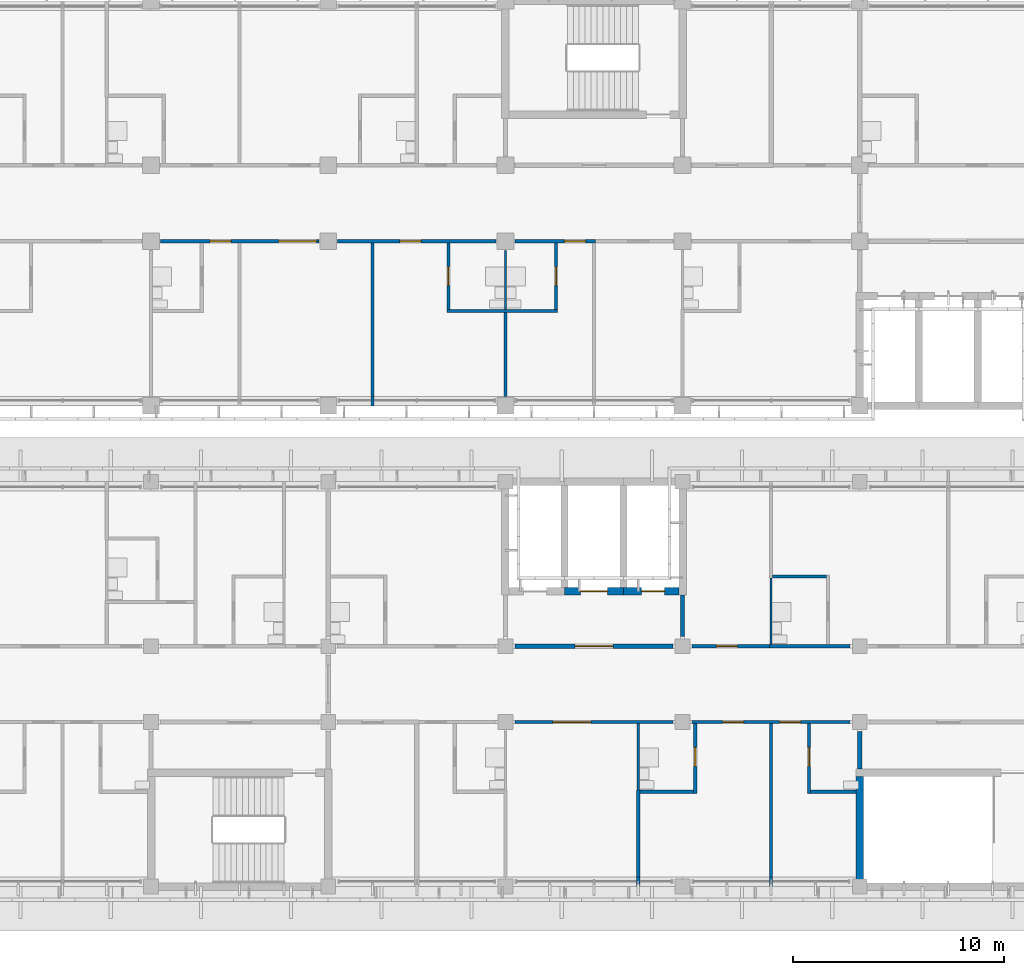
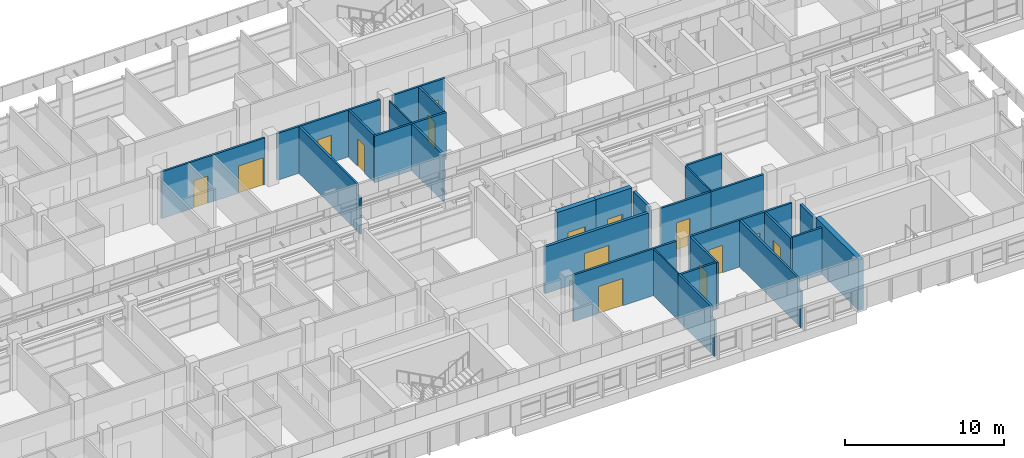
# One storey, part 35 of 71: 31 walls, 15 doors, 15 openings.
"""IFC4 building model written with IfcOpenShell, lengths in metres."""

from ifc_helpers import new_model, si_unit, direction, frame, frame_2d, origin, place, context, subcontext, project, spatial, rectangle, extrude, material, layer, layer_set, type_object, element, fill, save


model = new_model("IFC4")

# Units and contexts
model_context = context("Model", 3, precision=1e-05, world=origin(), true_north=direction((0.0, 1.0)))
body_context = subcontext(model_context, "Body", "Model", "MODEL_VIEW")
ifc_project = project(units=[si_unit("LENGTHUNIT", "METRE"), si_unit("AREAUNIT", "SQUARE_METRE"), si_unit("VOLUMEUNIT", "CUBIC_METRE"), si_unit("PLANEANGLEUNIT", "RADIAN"), si_unit("MASSUNIT", "GRAM", prefix="KILO")], contexts=[model_context])

# Site, building, storey
site_placement = place(None, origin())
site = spatial("IfcSite", under=ifc_project, at=site_placement, CompositionType="ELEMENT")
building_placement = place(site_placement, origin())
building = spatial("IfcBuilding", under=site, at=building_placement, Name="Bougainvillea Quay General Hospital", CompositionType="ELEMENT")
storey_placement = place(building_placement, frame((0.0, 0.0, 24.89990234375)))
storey = spatial("IfcBuildingStorey", under=building, at=storey_placement, Name="L05", CompositionType="ELEMENT", Elevation=24.89990234375)

# Walls
ifc_material_1 = material(Name="Gypsum board partition on steel studs", Category="steel")
ifc_layer_1 = layer(ifc_material_1, 0.10009765625)
ifc_layer_set_1 = layer_set([ifc_layer_1], Name="Gypsum board partition on steel studs")
wall_type_1 = type_object("IfcWallType", Name="Partition 100 Gypsum board partition", PredefinedType="PARTITIONING", material=ifc_layer_set_1)
wall_1_placement = place(storey_placement, frame((140.699951171875, 122.175048828125, 0.0), z_axis=(0.0, 0.0, 1.0), x_axis=(0.0, 1.0, 0.0)))
element("IfcWall", 1, at=wall_1_placement, inside=storey, type_object=wall_type_1, Name="Partition 100 mm", PredefinedType="PARTITIONING", context=body_context, shape_type="SweptSolid", body=[
    extrude(rectangle(XDim=3.14990234375, YDim=0.10009765625, at=frame_2d((1.574951171875, 0.0))), origin(), (0.0, 0.0, 1.0), 3.60009765625),
])
wall_2_placement = place(storey_placement, frame((147.0, 129.074951171875, 0.0), z_axis=(0.0, 0.0, 1.0), x_axis=(0.0, 1.0, 0.0)))
element("IfcWall", 2, at=wall_2_placement, inside=storey, type_object=wall_type_1, Name="Partition 100 mm", PredefinedType="PARTITIONING", context=body_context, shape_type="SweptSolid", body=[
    extrude(rectangle(XDim=3.150146484375, YDim=0.10009765625, at=frame_2d((1.5751953125, 0.0))), origin(), (0.0, 0.0, 1.0), 3.60009765625),
])
wall_3_placement = place(storey_placement, frame((134.39990234375, 144.97509765625, 0.0), z_axis=(0.0, 0.0, 1.0), x_axis=(0.0, 1.0, 0.0)))
element("IfcWall", 3, at=wall_3_placement, inside=storey, type_object=wall_type_1, Name="Partition 100 mm", PredefinedType="PARTITIONING", context=body_context, shape_type="SweptSolid", body=[
    extrude(rectangle(XDim=2.77490234375, YDim=0.10009765625, at=frame_2d((1.387451171875, 0.0))), origin(), (0.0, 0.0, 1.0), 3.60009765625),
])
ifc_material_2 = material(Name="Gypsum board partition on steel studs, insulated", Category="steel")
ifc_layer_2 = layer(ifc_material_2, 0.14990234375)
ifc_layer_set_2 = layer_set([ifc_layer_2], Name="Gypsum board partition on steel studs, insulated")
wall_type_2 = type_object("IfcWallType", Name="Partition 150 Gypsum board partition", PredefinedType="PARTITIONING", material=ifc_layer_set_2)
wall_4_placement = place(storey_placement, frame((147.0, 117.60009765625, 0.0), z_axis=(0.0, 0.0, 1.0), x_axis=(0.0, 1.0, 0.0)))
element("IfcWall", 4, at=wall_4_placement, inside=storey, type_object=wall_type_2, Name="Partition 150 mm", PredefinedType="PARTITIONING", context=body_context, shape_type="SweptSolid", body=[
    extrude(rectangle(XDim=0.449951171875, YDim=0.14990234375, at=frame_2d((0.22509765625, 0.0))), origin(), (0.0, 0.0, 1.0), 2.780029296875),
])
wall_5_placement = place(storey_placement, frame((147.0, 118.050048828125, 0.0), z_axis=(0.0, 0.0, 1.0), x_axis=(0.0, 1.0, 0.0)))
element("IfcWall", 5, at=wall_5_placement, inside=storey, type_object=wall_type_2, Name="Partition 150 mm", PredefinedType="PARTITIONING", context=body_context, shape_type="SweptSolid", body=[
    extrude(rectangle(XDim=7.27490234375, YDim=0.14990234375, at=frame_2d((3.637451171875, 0.0))), origin(), (0.0, 0.0, 1.0), 3.60009765625),
])
wall_6_placement = place(storey_placement, frame((128.10009765625, 140.39990234375, 0.0), z_axis=(0.0, 0.0, 1.0), x_axis=(0.0, 1.0, 0.0)))
element("IfcWall", 6, at=wall_6_placement, inside=storey, type_object=wall_type_2, Name="Partition 150 mm", PredefinedType="PARTITIONING", context=body_context, shape_type="SweptSolid", body=[
    extrude(rectangle(XDim=0.4501953125, YDim=0.14990234375, at=frame_2d((0.22509765625, 0.0))), origin(), (0.0, 0.0, 1.0), 2.780029296875),
])
wall_7_placement = place(storey_placement, frame((128.10009765625, 140.85009765625, 0.0), z_axis=(0.0, 0.0, 1.0), x_axis=(0.0, 1.0, 0.0)))
element("IfcWall", 7, at=wall_7_placement, inside=storey, type_object=wall_type_2, Name="Partition 150 mm", PredefinedType="PARTITIONING", context=body_context, shape_type="SweptSolid", body=[
    extrude(rectangle(XDim=7.27490234375, YDim=0.14990234375, at=frame_2d((3.637451171875, 0.0))), origin(), (0.0, 0.0, 1.0), 3.60009765625),
])
wall_8_placement = place(storey_placement, frame((131.625, 144.89990234375, 0.0), z_axis=(0.0, 0.0, 1.0), x_axis=(1.0, 0.0, 0.0)))
element("IfcWall", 8, at=wall_8_placement, inside=storey, type_object=wall_type_2, Name="Partition 150 mm", PredefinedType="PARTITIONING", context=body_context, shape_type="SweptSolid", body=[
    extrude(rectangle(XDim=5.25, YDim=0.14990234375, at=frame_2d((2.625, 0.0))), origin(), (0.0, 0.0, 1.0), 3.60009765625),
])
wall_9_placement = place(storey_placement, frame((134.39990234375, 140.85009765625, 0.0), z_axis=(0.0, 0.0, 1.0), x_axis=(0.0, 1.0, 0.0)))
element("IfcWall", 9, at=wall_9_placement, inside=storey, type_object=wall_type_2, Name="Partition 150 mm", PredefinedType="PARTITIONING", context=body_context, shape_type="SweptSolid", body=[
    extrude(rectangle(XDim=3.974853515625, YDim=0.14990234375, at=frame_2d((1.9873046875, 0.0))), origin(), (0.0, 0.0, 1.0), 3.60009765625),
])
wall_10_placement = place(storey_placement, frame((140.699951171875, 117.60009765625, 0.0), z_axis=(0.0, 0.0, 1.0), x_axis=(0.0, 1.0, 0.0)))
element("IfcWall", 10, at=wall_10_placement, inside=storey, type_object=wall_type_2, Name="Partition 150 mm", PredefinedType="PARTITIONING", context=body_context, shape_type="SweptSolid", body=[
    extrude(rectangle(XDim=0.449951171875, YDim=0.14990234375, at=frame_2d((0.22509765625, 0.0))), origin(), (0.0, 0.0, 1.0), 2.780029296875),
])
wall_11_placement = place(storey_placement, frame((140.699951171875, 118.050048828125, 0.0), z_axis=(0.0, 0.0, 1.0), x_axis=(0.0, 1.0, 0.0)))
element("IfcWall", 11, at=wall_11_placement, inside=storey, type_object=wall_type_2, Name="Partition 150 mm", PredefinedType="PARTITIONING", context=body_context, shape_type="SweptSolid", body=[
    extrude(rectangle(XDim=4.125, YDim=0.14990234375, at=frame_2d((2.0625, 0.0))), origin(), (0.0, 0.0, 1.0), 3.60009765625),
])

# Wall, opening, door
wall_12_placement = place(storey_placement, frame((143.39990234375, 122.02490234375, 0.0), z_axis=(0.0, 0.0, 1.0), x_axis=(0.0, 1.0, 0.0)))
wall_12 = element("IfcWall", 12, at=wall_12_placement, inside=storey, type_object=wall_type_2, Name="Partition 150 mm", PredefinedType="PARTITIONING", context=body_context, shape_type="SweptSolid", body=[
    extrude(rectangle(XDim=3.300048828125, YDim=0.14990234375, at=frame_2d((1.64990234375, 0.0))), origin(), (0.0, 0.0, 1.0), 3.60009765625),
])
opening_1_placement = place(wall_12_placement, frame((1.27490234375, 0.0, 0.0)))
opening_1 = element("IfcOpeningElement", 13, at=opening_1_placement, cuts=wall_12, Name="Opening L05.129", PredefinedType="OPENING", context=body_context, shape_type="SweptSolid", body=[
    extrude(rectangle(XDim=0.89990234375, YDim=2.10009765625, at=frame_2d((0.449951171875, 1.050048828125))), frame((0.0, 0.0849609375, 0.0), z_axis=(0.0, -1.0, 0.0), x_axis=(1.0, 0.0, 0.0)), (0.0, 0.0, 1.0), 0.169921875),
])
ifc_material_3 = material(Name="Solid-core timber door leaf in steel frame", Category="steel")
door_type_1 = type_object("IfcDoorType", Name="Single leaf door 900x2100", OperationType="NOTDEFINED", PredefinedType="DOOR", material=ifc_material_3)
door_1_placement = place(opening_1_placement, origin())
door_1 = element("IfcDoor", 14, at=door_1_placement, inside=storey, type_object=door_type_1, Name="DT07 L05.129", OperationType="SINGLE_SWING_RIGHT", OverallHeight=2.10009765625, OverallWidth=0.89990234375, PredefinedType="DOOR", context=body_context, shape_type="SweptSolid", body=[
    extrude(rectangle(XDim=0.89990234375, YDim=2.10009765625, at=frame_2d((0.449951171875, 1.050048828125))), frame((0.0, 0.02490234375, 0.0), z_axis=(0.0, -1.0, 0.0), x_axis=(1.0, 0.0, 0.0)), (0.0, 0.0, 1.0), 0.050048828125),
])
fill(opening_1, door_1)

wall_13_placement = place(storey_placement, frame((148.800048828125, 122.02490234375, 0.0), z_axis=(0.0, 0.0, 1.0), x_axis=(0.0, 1.0, 0.0)))
wall_13 = element("IfcWall", 15, at=wall_13_placement, inside=storey, type_object=wall_type_2, Name="Partition 150 mm", PredefinedType="PARTITIONING", context=body_context, shape_type="SweptSolid", body=[
    extrude(rectangle(XDim=3.300048828125, YDim=0.14990234375, at=frame_2d((1.64990234375, 0.0))), origin(), (0.0, 0.0, 1.0), 3.60009765625),
])
opening_2_placement = place(wall_13_placement, frame((1.27490234375, 0.0, 0.0)))
opening_2 = element("IfcOpeningElement", 16, at=opening_2_placement, cuts=wall_13, Name="Opening L05.131", PredefinedType="OPENING", context=body_context, shape_type="SweptSolid", body=[
    extrude(rectangle(XDim=0.89990234375, YDim=2.10009765625, at=frame_2d((0.449951171875, 1.050048828125))), frame((0.0, 0.0849609375, 0.0), z_axis=(0.0, -1.0, 0.0), x_axis=(1.0, 0.0, 0.0)), (0.0, 0.0, 1.0), 0.169921875),
])
door_2_placement = place(opening_2_placement, frame((0.89990234375, 0.0, 0.0), z_axis=(0.0, 0.0, 1.0), x_axis=(-1.0, 0.0, 0.0)))
door_2 = element("IfcDoor", 17, at=door_2_placement, inside=storey, type_object=door_type_1, Name="DT07 L05.131", OperationType="SINGLE_SWING_LEFT", OverallHeight=2.10009765625, OverallWidth=0.89990234375, PredefinedType="DOOR", context=body_context, shape_type="SweptSolid", body=[
    extrude(rectangle(XDim=0.89990234375, YDim=2.10009765625, at=frame_2d((0.449951171875, 1.050048828125))), frame((0.0, 0.02490234375, 0.0), z_axis=(0.0, -1.0, 0.0), x_axis=(1.0, 0.0, 0.0)), (0.0, 0.0, 1.0), 0.050048828125),
])
fill(opening_2, door_2)

wall_14_placement = place(storey_placement, frame((131.699951171875, 144.97509765625, 0.0), z_axis=(0.0, 0.0, 1.0), x_axis=(0.0, 1.0, 0.0)))
wall_14 = element("IfcWall", 18, at=wall_14_placement, inside=storey, type_object=wall_type_2, Name="Partition 150 mm", PredefinedType="PARTITIONING", context=body_context, shape_type="SweptSolid", body=[
    extrude(rectangle(XDim=3.14990234375, YDim=0.14990234375, at=frame_2d((1.574951171875, 0.0))), origin(), (0.0, 0.0, 1.0), 3.60009765625),
])
opening_3_placement = place(wall_14_placement, frame((1.125, 0.0, 0.0)))
opening_3 = element("IfcOpeningElement", 19, at=opening_3_placement, cuts=wall_14, Name="Opening L05.037", PredefinedType="OPENING", context=body_context, shape_type="SweptSolid", body=[
    extrude(rectangle(XDim=0.89990234375, YDim=2.10009765625, at=frame_2d((0.449951171875, 1.050048828125))), frame((0.0, 0.0849609375, 0.0), z_axis=(0.0, -1.0, 0.0), x_axis=(1.0, 0.0, 0.0)), (0.0, 0.0, 1.0), 0.169921875),
])
door_3_placement = place(opening_3_placement, frame((0.89990234375, 0.0, 0.0), z_axis=(0.0, 0.0, 1.0), x_axis=(-1.0, 0.0, 0.0)))
door_3 = element("IfcDoor", 20, at=door_3_placement, inside=storey, type_object=door_type_1, Name="DT07 L05.037", OperationType="SINGLE_SWING_LEFT", OverallHeight=2.10009765625, OverallWidth=0.89990234375, PredefinedType="DOOR", context=body_context, shape_type="SweptSolid", body=[
    extrude(rectangle(XDim=0.89990234375, YDim=2.10009765625, at=frame_2d((0.449951171875, 1.050048828125))), frame((0.0, 0.02490234375, 0.0), z_axis=(0.0, -1.0, 0.0), x_axis=(1.0, 0.0, 0.0)), (0.0, 0.0, 1.0), 0.050048828125),
])
fill(opening_3, door_3)

wall_15_placement = place(storey_placement, frame((136.800048828125, 144.97509765625, 0.0), z_axis=(0.0, 0.0, 1.0), x_axis=(0.0, 1.0, 0.0)))
wall_15 = element("IfcWall", 21, at=wall_15_placement, inside=storey, type_object=wall_type_2, Name="Partition 150 mm", PredefinedType="PARTITIONING", context=body_context, shape_type="SweptSolid", body=[
    extrude(rectangle(XDim=3.14990234375, YDim=0.14990234375, at=frame_2d((1.574951171875, 0.0))), origin(), (0.0, 0.0, 1.0), 3.60009765625),
])
opening_4_placement = place(wall_15_placement, frame((1.125, 0.0, 0.0)))
opening_4 = element("IfcOpeningElement", 22, at=opening_4_placement, cuts=wall_15, Name="Opening L05.039", PredefinedType="OPENING", context=body_context, shape_type="SweptSolid", body=[
    extrude(rectangle(XDim=0.89990234375, YDim=2.10009765625, at=frame_2d((0.449951171875, 1.050048828125))), frame((0.0, 0.0849609375, 0.0), z_axis=(0.0, -1.0, 0.0), x_axis=(1.0, 0.0, 0.0)), (0.0, 0.0, 1.0), 0.169921875),
])
door_4_placement = place(opening_4_placement, origin())
door_4 = element("IfcDoor", 23, at=door_4_placement, inside=storey, type_object=door_type_1, Name="DT07 L05.039", OperationType="SINGLE_SWING_RIGHT", OverallHeight=2.10009765625, OverallWidth=0.89990234375, PredefinedType="DOOR", context=body_context, shape_type="SweptSolid", body=[
    extrude(rectangle(XDim=0.89990234375, YDim=2.10009765625, at=frame_2d((0.449951171875, 1.050048828125))), frame((0.0, 0.02490234375, 0.0), z_axis=(0.0, -1.0, 0.0), x_axis=(1.0, 0.0, 0.0)), (0.0, 0.0, 1.0), 0.050048828125),
])
fill(opening_4, door_4)

# Walls
for number, where, z_axis, x_axis, name in (
    (24, (140.77490234375, 122.10009765625, 0.0), (0.0, 0.0, 1.0), (1.0, 0.0, 0.0), "Partition 150 mm"),
    (25, (147.074951171875, 132.300048828125, 0.0), (0.0, 0.0, 1.0), (1.0, 0.0, 0.0), "Partition 150 mm"),
):
    element("IfcWall", number, at=place(storey_placement, frame(where, z_axis=z_axis, x_axis=x_axis)), inside=storey, type_object=wall_type_2, Name=name, PredefinedType="PARTITIONING", context=body_context, shape_type="SweptSolid", body=[
        extrude(rectangle(XDim=2.550048828125, YDim=0.14990234375, at=frame_2d((1.27490234375, 0.0))), origin(), (0.0, 0.0, 1.0), 3.60009765625),
    ])
wall_16_placement = place(storey_placement, frame((148.875, 122.10009765625, 0.0), z_axis=(0.0, 0.0, 1.0), x_axis=(1.0, 0.0, 0.0)))
element("IfcWall", 26, at=wall_16_placement, inside=storey, type_object=wall_type_2, Name="Partition 150 mm", PredefinedType="PARTITIONING", context=body_context, shape_type="SweptSolid", body=[
    extrude(rectangle(XDim=2.14990234375, YDim=0.14990234375, at=frame_2d((1.074951171875, 0.0))), origin(), (0.0, 0.0, 1.0), 3.60009765625),
])

# Wall, opening, door
ifc_layer_3 = layer(ifc_material_2, 0.14990234375)
ifc_layer_set_3 = layer_set([ifc_layer_3], Name="Gypsum board partition on steel studs, insulated")
wall_type_3 = type_object("IfcWallType", Name="Partition 150 Gypsum board partition EI 30", PredefinedType="PARTITIONING", material=ifc_layer_set_3)
wall_17_placement = place(storey_placement, frame((138.675048828125, 148.199951171875, 0.0), z_axis=(0.0, 0.0, 1.0), x_axis=(-1.0, 0.0, 0.0)))
wall_17 = element("IfcWall", 27, at=wall_17_placement, inside=storey, type_object=wall_type_3, Name="Partition 150 mm EI 30", PredefinedType="PARTITIONING", context=body_context, shape_type="SweptSolid", body=[
    extrude(rectangle(XDim=3.824951171875, YDim=0.14990234375, at=frame_2d((1.91259765625, 0.0))), origin(), (0.0, 0.0, 1.0), 3.60009765625),
])
opening_5_placement = place(wall_17_placement, frame((0.47509765625, 0.0, 0.0)))
opening_5 = element("IfcOpeningElement", 28, at=opening_5_placement, cuts=wall_17, Name="Opening L05.038", PredefinedType="OPENING", context=body_context, shape_type="SweptSolid", body=[
    extrude(rectangle(XDim=1.0, YDim=2.10009765625, at=frame_2d((0.5, 1.050048828125))), frame((0.0, 0.0849609375, 0.0), z_axis=(0.0, -1.0, 0.0), x_axis=(1.0, 0.0, 0.0)), (0.0, 0.0, 1.0), 0.169921875),
])
door_type_2 = type_object("IfcDoorType", Name="Single leaf door 1000x2100 FD30S", OperationType="NOTDEFINED", PredefinedType="DOOR", material=ifc_material_3)
door_5_placement = place(opening_5_placement, origin())
door_5 = element("IfcDoor", 29, at=door_5_placement, inside=storey, type_object=door_type_2, Name="DT15 L05.038", OperationType="SINGLE_SWING_LEFT", OverallHeight=2.10009765625, OverallWidth=1.0, PredefinedType="DOOR", context=body_context, shape_type="SweptSolid", body=[
    extrude(rectangle(XDim=1.0, YDim=2.10009765625, at=frame_2d((0.5, 1.050048828125))), frame((0.0, 0.02490234375, 0.0), z_axis=(0.0, -1.0, 0.0), x_axis=(1.0, 0.0, 0.0)), (0.0, 0.0, 1.0), 0.050048828125),
])
fill(opening_5, door_5)

wall_18_placement = place(storey_placement, frame((133.949951171875, 148.199951171875, 0.0), z_axis=(0.0, 0.0, 1.0), x_axis=(-1.0, 0.0, 0.0)))
wall_18 = element("IfcWall", 30, at=wall_18_placement, inside=storey, type_object=wall_type_3, Name="Partition 150 mm EI 30", PredefinedType="PARTITIONING", context=body_context, shape_type="SweptSolid", body=[
    extrude(rectangle(XDim=7.5, YDim=0.14990234375, at=frame_2d((3.75, 0.0))), origin(), (0.0, 0.0, 1.0), 3.60009765625),
])
opening_6_placement = place(wall_18_placement, frame((3.550048828125, 0.0, 0.0)))
opening_6 = element("IfcOpeningElement", 31, at=opening_6_placement, cuts=wall_18, Name="Opening L05.036", PredefinedType="OPENING", context=body_context, shape_type="SweptSolid", body=[
    extrude(rectangle(XDim=1.0, YDim=2.10009765625, at=frame_2d((0.5, 1.050048828125))), frame((0.0, 0.0849609375, 0.0), z_axis=(0.0, -1.0, 0.0), x_axis=(1.0, 0.0, 0.0)), (0.0, 0.0, 1.0), 0.169921875),
])
door_6_placement = place(opening_6_placement, origin())
door_6 = element("IfcDoor", 32, at=door_6_placement, inside=storey, type_object=door_type_2, Name="DT15 L05.036", OperationType="SINGLE_SWING_RIGHT", OverallHeight=2.10009765625, OverallWidth=1.0, PredefinedType="DOOR", context=body_context, shape_type="SweptSolid", body=[
    extrude(rectangle(XDim=1.0, YDim=2.10009765625, at=frame_2d((0.5, 1.050048828125))), frame((0.0, 0.02490234375, 0.0), z_axis=(0.0, -1.0, 0.0), x_axis=(1.0, 0.0, 0.0)), (0.0, 0.0, 1.0), 0.050048828125),
])
fill(opening_6, door_6)

# Wall, openings, doors
wall_19_placement = place(storey_placement, frame((125.550048828125, 148.199951171875, 0.0), z_axis=(0.0, 0.0, 1.0), x_axis=(-1.0, 0.0, 0.0)))
wall_19 = element("IfcWall", 33, at=wall_19_placement, inside=storey, type_object=wall_type_3, Name="Partition 150 mm EI 30", PredefinedType="PARTITIONING", context=body_context, shape_type="SweptSolid", body=[
    extrude(rectangle(XDim=7.5, YDim=0.14990234375, at=frame_2d((3.75, 0.0))), origin(), (0.0, 0.0, 1.0), 3.60009765625),
])
opening_7_placement = place(wall_19_placement, frame((4.14990234375, 0.0, 0.0)))
opening_7 = element("IfcOpeningElement", 34, at=opening_7_placement, cuts=wall_19, Name="Opening L05.033", PredefinedType="OPENING", context=body_context, shape_type="SweptSolid", body=[
    extrude(rectangle(XDim=1.0, YDim=2.10009765625, at=frame_2d((0.5, 1.050048828125))), frame((0.0, 0.0849609375, 0.0), z_axis=(0.0, -1.0, 0.0), x_axis=(1.0, 0.0, 0.0)), (0.0, 0.0, 1.0), 0.169921875),
])
opening_8_placement = place(wall_19_placement, frame((0.10009765625, 0.0, 0.0)))
opening_8 = element("IfcOpeningElement", 35, at=opening_8_placement, cuts=wall_19, Name="Opening L05.035", PredefinedType="OPENING", context=body_context, shape_type="SweptSolid", body=[
    extrude(rectangle(XDim=1.800048828125, YDim=2.10009765625, at=frame_2d((0.89990234375, 1.050048828125))), frame((0.0, 0.0849609375, 0.0), z_axis=(0.0, -1.0, 0.0), x_axis=(1.0, 0.0, 0.0)), (0.0, 0.0, 1.0), 0.169921875),
])
ifc_material_4 = material(Name="Solid-core timber door leaves in steel frame", Category="steel")
door_type_3 = type_object("IfcDoorType", Name="Double leaf door 1800x2100 FD30S", OperationType="DOUBLE_DOOR_SINGLE_SWING", PredefinedType="DOOR", material=ifc_material_4)
door_7_placement = place(opening_8_placement, origin())
door_7 = element("IfcDoor", 36, at=door_7_placement, inside=storey, type_object=door_type_3, Name="DT17 L05.035", OperationType="DOUBLE_DOOR_SINGLE_SWING", OverallHeight=2.10009765625, OverallWidth=1.800048828125, PredefinedType="DOOR", context=body_context, shape_type="SweptSolid", body=[
    extrude(rectangle(XDim=1.800048828125, YDim=2.10009765625, at=frame_2d((0.89990234375, 1.050048828125))), frame((0.0, 0.02490234375, 0.0), z_axis=(0.0, -1.0, 0.0), x_axis=(1.0, 0.0, 0.0)), (0.0, 0.0, 1.0), 0.050048828125),
])
fill(opening_8, door_7)
door_8_placement = place(opening_7_placement, origin())
door_8 = element("IfcDoor", 37, at=door_8_placement, inside=storey, type_object=door_type_2, Name="DT15 L05.033", OperationType="SINGLE_SWING_RIGHT", OverallHeight=2.10009765625, OverallWidth=1.0, PredefinedType="DOOR", context=body_context, shape_type="SweptSolid", body=[
    extrude(rectangle(XDim=1.0, YDim=2.10009765625, at=frame_2d((0.5, 1.050048828125))), frame((0.0, 0.02490234375, 0.0), z_axis=(0.0, -1.0, 0.0), x_axis=(1.0, 0.0, 0.0)), (0.0, 0.0, 1.0), 0.050048828125),
])
fill(opening_7, door_8)

wall_20_placement = place(storey_placement, frame((150.75, 125.39990234375, 0.0), z_axis=(0.0, 0.0, 1.0), x_axis=(-1.0, 0.0, 0.0)))
wall_20 = element("IfcWall", 38, at=wall_20_placement, inside=storey, type_object=wall_type_3, Name="Partition 150 mm EI 30", PredefinedType="PARTITIONING", context=body_context, shape_type="SweptSolid", body=[
    extrude(rectangle(XDim=7.5, YDim=0.14990234375, at=frame_2d((3.75, 0.0))), origin(), (0.0, 0.0, 1.0), 3.60009765625),
])
opening_9_placement = place(wall_20_placement, frame((5.050048828125, 0.0, 0.0)))
opening_9 = element("IfcOpeningElement", 39, at=opening_9_placement, cuts=wall_20, Name="Opening L05.128", PredefinedType="OPENING", context=body_context, shape_type="SweptSolid", body=[
    extrude(rectangle(XDim=1.0, YDim=2.10009765625, at=frame_2d((0.5, 1.050048828125))), frame((0.0, 0.0849609375, 0.0), z_axis=(0.0, -1.0, 0.0), x_axis=(1.0, 0.0, 0.0)), (0.0, 0.0, 1.0), 0.169921875),
])
opening_10_placement = place(wall_20_placement, frame((2.35009765625, 0.0, 0.0)))
opening_10 = element("IfcOpeningElement", 40, at=opening_10_placement, cuts=wall_20, Name="Opening L05.130", PredefinedType="OPENING", context=body_context, shape_type="SweptSolid", body=[
    extrude(rectangle(XDim=1.0, YDim=2.10009765625, at=frame_2d((0.5, 1.050048828125))), frame((0.0, 0.0849609375, 0.0), z_axis=(0.0, -1.0, 0.0), x_axis=(1.0, 0.0, 0.0)), (0.0, 0.0, 1.0), 0.169921875),
])
door_9_placement = place(opening_9_placement, origin())
door_9 = element("IfcDoor", 41, at=door_9_placement, inside=storey, type_object=door_type_2, Name="DT15 L05.128", OperationType="SINGLE_SWING_RIGHT", OverallHeight=2.10009765625, OverallWidth=1.0, PredefinedType="DOOR", context=body_context, shape_type="SweptSolid", body=[
    extrude(rectangle(XDim=1.0, YDim=2.10009765625, at=frame_2d((0.5, 1.050048828125))), frame((0.0, 0.02490234375, 0.0), z_axis=(0.0, -1.0, 0.0), x_axis=(1.0, 0.0, 0.0)), (0.0, 0.0, 1.0), 0.050048828125),
])
fill(opening_9, door_9)
door_10_placement = place(opening_10_placement, origin())
door_10 = element("IfcDoor", 42, at=door_10_placement, inside=storey, type_object=door_type_2, Name="DT15 L05.130", OperationType="SINGLE_SWING_LEFT", OverallHeight=2.10009765625, OverallWidth=1.0, PredefinedType="DOOR", context=body_context, shape_type="SweptSolid", body=[
    extrude(rectangle(XDim=1.0, YDim=2.10009765625, at=frame_2d((0.5, 1.050048828125))), frame((0.0, 0.02490234375, 0.0), z_axis=(0.0, -1.0, 0.0), x_axis=(1.0, 0.0, 0.0)), (0.0, 0.0, 1.0), 0.050048828125),
])
fill(opening_10, door_10)

# Wall, opening, door
wall_21_placement = place(storey_placement, frame((142.35009765625, 125.39990234375, 0.0), z_axis=(0.0, 0.0, 1.0), x_axis=(-1.0, 0.0, 0.0)))
wall_21 = element("IfcWall", 43, at=wall_21_placement, inside=storey, type_object=wall_type_3, Name="Partition 150 mm EI 30", PredefinedType="PARTITIONING", context=body_context, shape_type="SweptSolid", body=[
    extrude(rectangle(XDim=7.5, YDim=0.14990234375, at=frame_2d((3.75, 0.0))), origin(), (0.0, 0.0, 1.0), 3.60009765625),
])
opening_11_placement = place(wall_21_placement, frame((3.89990234375, 0.0, 0.0)))
opening_11 = element("IfcOpeningElement", 44, at=opening_11_placement, cuts=wall_21, Name="Opening L05.127", PredefinedType="OPENING", context=body_context, shape_type="SweptSolid", body=[
    extrude(rectangle(XDim=1.800048828125, YDim=2.10009765625, at=frame_2d((0.89990234375, 1.050048828125))), frame((0.0, 0.0849609375, 0.0), z_axis=(0.0, -1.0, 0.0), x_axis=(1.0, 0.0, 0.0)), (0.0, 0.0, 1.0), 0.169921875),
])
door_11_placement = place(opening_11_placement, origin())
door_11 = element("IfcDoor", 45, at=door_11_placement, inside=storey, type_object=door_type_3, Name="DT17 L05.127", OperationType="DOUBLE_DOOR_SINGLE_SWING", OverallHeight=2.10009765625, OverallWidth=1.800048828125, PredefinedType="DOOR", context=body_context, shape_type="SweptSolid", body=[
    extrude(rectangle(XDim=1.800048828125, YDim=2.10009765625, at=frame_2d((0.89990234375, 1.050048828125))), frame((0.0, 0.02490234375, 0.0), z_axis=(0.0, -1.0, 0.0), x_axis=(1.0, 0.0, 0.0)), (0.0, 0.0, 1.0), 0.050048828125),
])
fill(opening_11, door_11)

# Wall
wall_22_placement = place(storey_placement, frame((150.75, 129.0, 0.0), z_axis=(0.0, 0.0, 1.0), x_axis=(-1.0, 0.0, 0.0)))
element("IfcWall", 46, at=wall_22_placement, inside=storey, type_object=wall_type_3, Name="Partition 150 mm EI 30", PredefinedType="PARTITIONING", context=body_context, shape_type="SweptSolid", body=[
    extrude(rectangle(XDim=3.824951171875, YDim=0.14990234375, at=frame_2d((1.91259765625, 0.0))), origin(), (0.0, 0.0, 1.0), 3.60009765625),
])

# Wall, opening, door
ifc_layer_4 = layer(ifc_material_2, 0.14990234375)
ifc_layer_set_4 = layer_set([ifc_layer_4], Name="Gypsum board partition on steel studs, insulated")
wall_type_4 = type_object("IfcWallType", Name="Partition 150 Gypsum board partition EI 60", PredefinedType="PARTITIONING", material=ifc_layer_set_4)
wall_23_placement = place(storey_placement, frame((143.25, 129.0, 0.0), z_axis=(0.0, 0.0, 1.0), x_axis=(1.0, 0.0, 0.0)))
wall_23 = element("IfcWall", 47, at=wall_23_placement, inside=storey, type_object=wall_type_4, Name="Partition 150 mm EI 60", PredefinedType="PARTITIONING", context=body_context, shape_type="SweptSolid", body=[
    extrude(rectangle(XDim=3.675048828125, YDim=0.14990234375, at=frame_2d((1.83740234375, 0.0))), origin(), (0.0, 0.0, 1.0), 3.60009765625),
])
opening_12_placement = place(wall_23_placement, frame((1.14990234375, 0.0, 0.0)))
opening_12 = element("IfcOpeningElement", 48, at=opening_12_placement, cuts=wall_23, Name="Opening L05.132", PredefinedType="OPENING", context=body_context, shape_type="SweptSolid", body=[
    extrude(rectangle(XDim=1.0, YDim=2.10009765625, at=frame_2d((0.5, 1.050048828125))), frame((0.0, 0.0849609375, 0.0), z_axis=(0.0, -1.0, 0.0), x_axis=(1.0, 0.0, 0.0)), (0.0, 0.0, 1.0), 0.169921875),
])
door_type_4 = type_object("IfcDoorType", Name="Single leaf door 1000x2100 FD60", OperationType="NOTDEFINED", PredefinedType="DOOR", material=ifc_material_3)
door_12_placement = place(opening_12_placement, origin())
door_12 = element("IfcDoor", 49, at=door_12_placement, inside=storey, type_object=door_type_4, Name="DT14 L05.132", OperationType="SINGLE_SWING_LEFT", OverallHeight=2.10009765625, OverallWidth=1.0, PredefinedType="DOOR", context=body_context, shape_type="SweptSolid", body=[
    extrude(rectangle(XDim=1.0, YDim=2.10009765625, at=frame_2d((0.5, 1.050048828125))), frame((0.0, 0.02490234375, 0.0), z_axis=(0.0, -1.0, 0.0), x_axis=(1.0, 0.0, 0.0)), (0.0, 0.0, 1.0), 0.050048828125),
])
fill(opening_12, door_12)

ifc_material_5 = material(Name="Fire-rated autoclaved aerated block wall, plastered")
ifc_layer_5 = layer(ifc_material_5, 0.199951171875)
ifc_layer_set_5 = layer_set([ifc_layer_5], Name="Fire-rated autoclaved aerated block wall, plastered")
wall_type_5 = type_object("IfcWallType", Name="Partition 200 Fire-rated autoclaved aerated block wall EI 120", PredefinedType="SOLIDWALL", material=ifc_layer_set_5)
wall_24_placement = place(storey_placement, frame((134.85009765625, 129.0, 0.0), z_axis=(0.0, 0.0, 1.0), x_axis=(1.0, 0.0, 0.0)))
wall_24 = element("IfcWall", 50, at=wall_24_placement, inside=storey, type_object=wall_type_5, Name="Partition 200 mm EI 120", PredefinedType="SOLIDWALL", context=body_context, shape_type="SweptSolid", body=[
    extrude(rectangle(XDim=7.5, YDim=0.199951171875, at=frame_2d((3.75, 0.0))), origin(), (0.0, 0.0, 1.0), 3.60009765625),
])
opening_13_placement = place(wall_24_placement, frame((2.85009765625, 0.0, 0.0)))
opening_13 = element("IfcOpeningElement", 51, at=opening_13_placement, cuts=wall_24, Name="Opening L05.148", PredefinedType="OPENING", context=body_context, shape_type="SweptSolid", body=[
    extrude(rectangle(XDim=1.800048828125, YDim=2.10009765625, at=frame_2d((0.89990234375, 1.050048828125))), frame((0.0, 0.10986328125, 0.0), z_axis=(0.0, -1.0, 0.0), x_axis=(1.0, 0.0, 0.0)), (0.0, 0.0, 1.0), 0.219970703125),
])
ifc_material_6 = material(Name="Steel fire door leaves in steel frame", Category="steel")
door_type_5 = type_object("IfcDoorType", Name="Steel double leaf door 1800x2100 FD60", OperationType="DOUBLE_DOOR_SINGLE_SWING", PredefinedType="DOOR", material=ifc_material_6)
door_13_placement = place(opening_13_placement, origin())
door_13 = element("IfcDoor", 52, at=door_13_placement, inside=storey, type_object=door_type_5, Name="DT05 L05.148", OperationType="DOUBLE_DOOR_SINGLE_SWING", OverallHeight=2.10009765625, OverallWidth=1.800048828125, PredefinedType="DOOR", context=body_context, shape_type="SweptSolid", body=[
    extrude(rectangle(XDim=1.800048828125, YDim=2.10009765625, at=frame_2d((0.89990234375, 1.050048828125))), frame((0.0, 0.02490234375, 0.0), z_axis=(0.0, -1.0, 0.0), x_axis=(1.0, 0.0, 0.0)), (0.0, 0.0, 1.0), 0.050048828125),
])
fill(opening_13, door_13)

# Walls
wall_25_placement = place(storey_placement, frame((142.800048828125, 129.449951171875, 0.0), z_axis=(0.0, 0.0, 1.0), x_axis=(0.0, 1.0, 0.0)))
element("IfcWall", 53, at=wall_25_placement, inside=storey, type_object=wall_type_5, Name="Partition 200 mm EI 120", PredefinedType="SOLIDWALL", context=body_context, shape_type="SweptSolid", body=[
    extrude(rectangle(XDim=1.97509765625, YDim=0.199951171875, at=frame_2d((0.987548828125, 0.0))), origin(), (0.0, 0.0, 1.0), 3.60009765625),
])
wall_26_placement = place(storey_placement, frame((151.199951171875, 123.175048828125, 0.0), z_axis=(0.0, 0.0, 1.0), x_axis=(0.0, 1.0, 0.0)))
element("IfcWall", 54, at=wall_26_placement, inside=storey, type_object=wall_type_5, Name="Partition 200 mm EI 120", PredefinedType="SOLIDWALL", context=body_context, shape_type="SweptSolid", body=[
    extrude(rectangle(XDim=1.77490234375, YDim=0.199951171875, at=frame_2d((0.887451171875, 0.0))), origin(), (0.0, 0.0, 1.0), 3.60009765625),
])

# Wall, opening, door
ifc_material_7 = material(Name="Concrete C40", Category="concrete")
ifc_layer_6 = layer(ifc_material_7, 0.35009765625)
ifc_layer_set_6 = layer_set([ifc_layer_6], Name="Concrete C40")
wall_type_6 = type_object("IfcWallType", Name="RC SHEAR WALL 350 C40", PredefinedType="SHEAR", material=ifc_layer_set_6)
wall_27_placement = place(storey_placement, frame((137.199951171875, 131.60009765625, 0.0), z_axis=(0.0, 0.0, 1.0), x_axis=(1.0, 0.0, 0.0)))
wall_27 = element("IfcWall", 55, at=wall_27_placement, inside=storey, type_object=wall_type_6, Name="Shear wall L05", PredefinedType="SHEAR", context=body_context, shape_type="SweptSolid", body=[
    extrude(rectangle(XDim=2.800048828125, YDim=0.35009765625, at=frame_2d((1.39990234375, 0.0))), origin(), (0.0, 0.0, 1.0), 3.900146484375),
])
opening_14_placement = place(wall_27_placement, frame((0.75, 0.0, 0.0)))
opening_14 = element("IfcOpeningElement", 56, at=opening_14_placement, cuts=wall_27, Name="Opening LD-B2.2-L05", PredefinedType="OPENING", context=body_context, shape_type="SweptSolid", body=[
    extrude(rectangle(XDim=1.300048828125, YDim=2.10009765625, at=frame_2d((0.64990234375, 1.050048828125))), frame((0.0, 0.18505859375, 0.0), z_axis=(0.0, -1.0, 0.0), x_axis=(1.0, 0.0, 0.0)), (0.0, 0.0, 1.0), 0.3701171875),
])
ifc_material_8 = material(Name="Stainless steel centre-opening landing door", Category="steel")
door_type_6 = type_object("IfcDoorType", Name="Lift landing door 1300x2100 E 120", OperationType="DOUBLE_DOOR_SLIDING", PredefinedType="DOOR", material=ifc_material_8)
door_14_placement = place(opening_14_placement, origin())
door_14 = element("IfcDoor", 57, at=door_14_placement, inside=storey, type_object=door_type_6, Name="Lift landing door LB-B2-2 L05", OperationType="DOUBLE_DOOR_SLIDING", OverallHeight=2.10009765625, OverallWidth=1.300048828125, PredefinedType="DOOR", context=body_context, shape_type="SweptSolid", body=[
    extrude(rectangle(XDim=1.300048828125, YDim=2.10009765625, at=frame_2d((0.64990234375, 1.050048828125))), frame((0.0, 0.02490234375, 0.0), z_axis=(0.0, -1.0, 0.0), x_axis=(1.0, 0.0, 0.0)), (0.0, 0.0, 1.0), 0.050048828125),
])
fill(opening_14, door_14)

wall_28_placement = place(storey_placement, frame((140.0, 131.60009765625, 0.0), z_axis=(0.0, 0.0, 1.0), x_axis=(1.0, 0.0, 0.0)))
wall_28 = element("IfcWall", 58, at=wall_28_placement, inside=storey, type_object=wall_type_6, Name="Shear wall L05", PredefinedType="SHEAR", context=body_context, shape_type="SweptSolid", body=[
    extrude(rectangle(XDim=2.625, YDim=0.35009765625, at=frame_2d((1.3125, 0.0))), origin(), (0.0, 0.0, 1.0), 3.900146484375),
])
opening_15_placement = place(wall_28_placement, frame((0.85009765625, 0.0, 0.0)))
opening_15 = element("IfcOpeningElement", 59, at=opening_15_placement, cuts=wall_28, Name="Opening LD-B2.3-L05", PredefinedType="OPENING", context=body_context, shape_type="SweptSolid", body=[
    extrude(rectangle(XDim=1.10009765625, YDim=2.10009765625, at=frame_2d((0.550048828125, 1.050048828125))), frame((0.0, 0.18505859375, 0.0), z_axis=(0.0, -1.0, 0.0), x_axis=(1.0, 0.0, 0.0)), (0.0, 0.0, 1.0), 0.3701171875),
])
door_type_7 = type_object("IfcDoorType", Name="Lift landing door 1100x2100 E 120", OperationType="DOUBLE_DOOR_SLIDING", PredefinedType="DOOR", material=ifc_material_8)
door_15_placement = place(opening_15_placement, origin())
door_15 = element("IfcDoor", 60, at=door_15_placement, inside=storey, type_object=door_type_7, Name="Lift landing door LB-B2-3 L05", OperationType="DOUBLE_DOOR_SLIDING", OverallHeight=2.10009765625, OverallWidth=1.10009765625, PredefinedType="DOOR", context=body_context, shape_type="SweptSolid", body=[
    extrude(rectangle(XDim=1.10009765625, YDim=2.10009765625, at=frame_2d((0.550048828125, 1.050048828125))), frame((0.0, 0.02490234375, 0.0), z_axis=(0.0, -1.0, 0.0), x_axis=(1.0, 0.0, 0.0)), (0.0, 0.0, 1.0), 0.050048828125),
])
fill(opening_15, door_15)

# Wall
wall_29_placement = place(storey_placement, frame((151.199951171875, 117.425048828125, 0.0), z_axis=(0.0, 0.0, 1.0), x_axis=(0.0, 1.0, 0.0)))
element("IfcWall", 61, at=wall_29_placement, inside=storey, type_object=wall_type_6, Name="Shear wall L05", PredefinedType="SHEAR", context=body_context, shape_type="SweptSolid", body=[
    extrude(rectangle(XDim=5.39990234375, YDim=0.35009765625, at=frame_2d((2.699951171875, 0.0))), origin(), (0.0, 0.0, 1.0), 3.900146484375),
])

save(model, "model.ifc")
